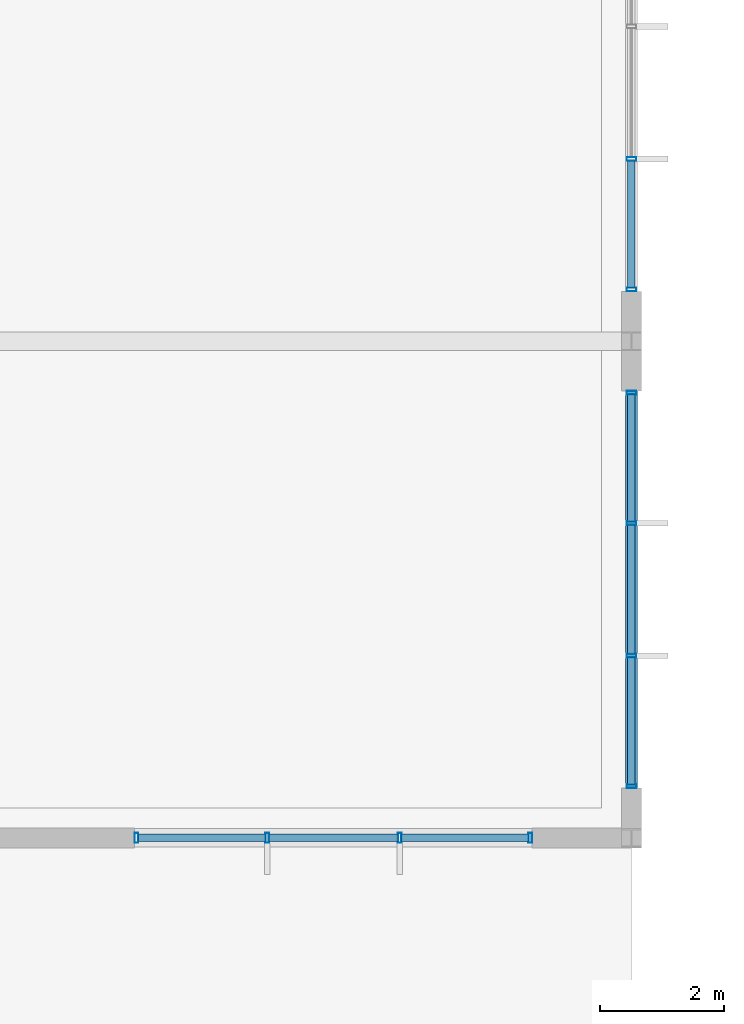
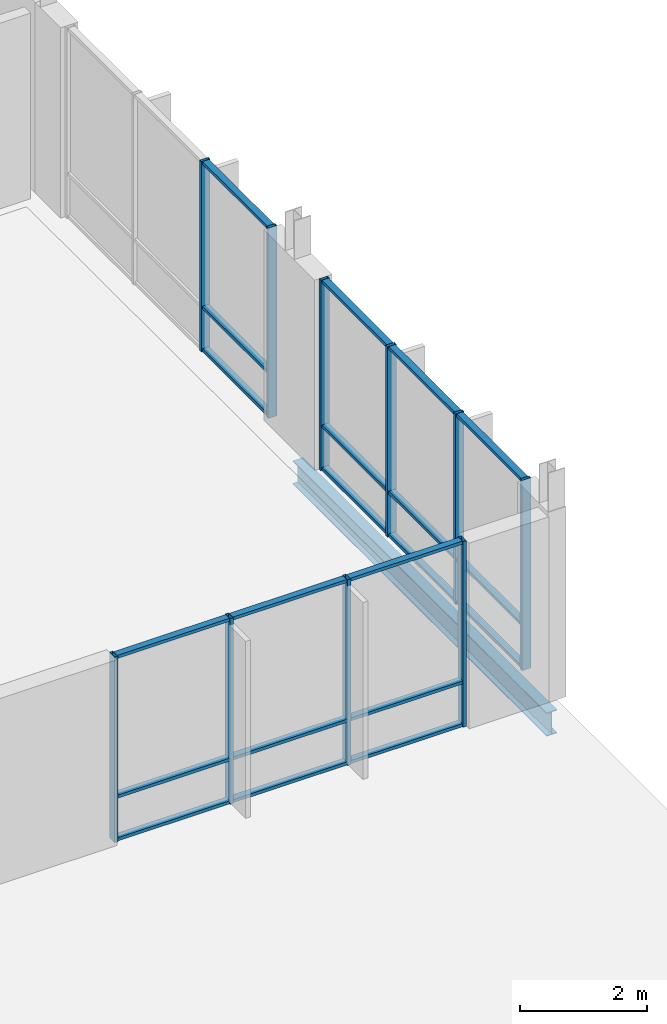
# One storey, part 157 of 233: 31 members, 1 beam, 3 elements without a shape of their own.
"""IFC4 building model written with IfcOpenShell, lengths in metres."""

from ifc_helpers import new_model, si_unit, direction, frame, origin, origin_2d, place, context, subcontext, project, spatial, hollow_rectangle, i_section, extrude, material, material_profile, profile_set, type_object, element, aggregate, save


model = new_model("IFC4")

# Units and contexts
model_context = context("Model", 3, precision=1e-05, world=origin(), true_north=direction((0.0, 1.0)))
body_context = subcontext(model_context, "Body", "Model", "MODEL_VIEW")
ifc_project = project(units=[si_unit("LENGTHUNIT", "METRE"), si_unit("AREAUNIT", "SQUARE_METRE"), si_unit("VOLUMEUNIT", "CUBIC_METRE"), si_unit("PLANEANGLEUNIT", "RADIAN"), si_unit("MASSUNIT", "GRAM", prefix="KILO")], contexts=[model_context])

# Site, building, storey
site_placement = place(None, origin())
site = spatial("IfcSite", under=ifc_project, at=site_placement, CompositionType="ELEMENT")
building_placement = place(site_placement, origin())
building = spatial("IfcBuilding", under=site, at=building_placement, Name="Zavelmont Quarter", CompositionType="ELEMENT")
storey_placement = place(building_placement, origin())
storey = spatial("IfcBuildingStorey", under=building, at=storey_placement, Name="L00", CompositionType="ELEMENT", Elevation=0.0)

# Beam
ifc_material_1 = material(Name="Steel S355", Category="steel")
ifc_material_profile_1 = material_profile(ifc_material_1, i_section(OverallWidth=0.18994140625, OverallDepth=0.449951171875, WebThickness=0.009521484375, FlangeThickness=0.0146484375, at=origin_2d()), Name="IPE 450")
ifc_profile_set_1 = profile_set([ifc_material_profile_1], Name="Steel S355")
beam_type = type_object("IfcBeamType", Name="BM12", PredefinedType="BEAM", material=ifc_profile_set_1)
beam_placement = place(storey_placement, frame((168.0, 38.0, -0.544921875), z_axis=(0.0, 1.0, 0.0), x_axis=(-1.0, 0.0, 0.0)))
element("IfcBeam", 1, at=beam_placement, inside=storey, type_object=beam_type, Name="L00 beam BM12 25/G to 25/H", PredefinedType="BEAM", context=body_context, shape_type="SweptSolid", body=[
    extrude(i_section(OverallWidth=0.18994140625, OverallDepth=0.449951171875, WebThickness=0.009521484375, FlangeThickness=0.0146484375, at=origin_2d()), origin(), (0.0, 0.0, 1.0), 8.0),
])

# Curtain wall, members
ifc_material_2 = material(Name="Thermally broken aluminium and double low-E safety glazing", Category="aluminium")
curtain_wall_type_1 = type_object("IfcCurtainWallType", Name="CW-640X366", PredefinedType="NOTDEFINED", material=ifc_material_2)
curtain_wall_1_placement = place(storey_placement, origin())
curtain_wall_1 = element("IfcCurtainWall", 2, at=curtain_wall_1_placement, inside=storey, type_object=curtain_wall_type_1, Name="L00 unitised curtain wall CW-640X366", PredefinedType="NOTDEFINED")
ifc_material_3 = material(Name="Powder-coated aluminium EN AW-6063-T6", Category="aluminium")
ifc_material_profile_2 = material_profile(ifc_material_3, hollow_rectangle(XDim=0.06005859375, YDim=0.159912109375, WallThickness=0.00390625, at=origin_2d()), Name="CWM60X160")
ifc_profile_set_2 = profile_set([ifc_material_profile_2], Name="Powder-coated aluminium EN AW-6063-T6")
member_type_1 = type_object("IfcMemberType", Name="CWM01", PredefinedType="MULLION", material=ifc_profile_set_2)
member_1_placement = place(storey_placement, frame((168.0, 38.830078125, 0.0), z_axis=(0.0, 0.0, 1.0), x_axis=(0.0, 1.0, 0.0)))
member_1 = element("IfcMember", 3, at=member_1_placement, type_object=member_type_1, Name="CW-640X366 mullion 1", PredefinedType="MULLION", context=body_context, shape_type="SweptSolid", body=[
    extrude(hollow_rectangle(XDim=0.06005859375, YDim=0.159912109375, WallThickness=0.00390625, at=origin_2d()), origin(), (0.0, 0.0, 1.0), 3.659912109375),
])
member_2_placement = place(storey_placement, frame((168.0, 40.933349609375, 0.0), z_axis=(0.0, 0.0, 1.0), x_axis=(0.0, 1.0, 0.0)))
member_2 = element("IfcMember", 4, at=member_2_placement, type_object=member_type_1, Name="CW-640X366 mullion 2", PredefinedType="MULLION", context=body_context, shape_type="SweptSolid", body=[
    extrude(hollow_rectangle(XDim=0.06005859375, YDim=0.159912109375, WallThickness=0.00390625, at=origin_2d()), origin(), (0.0, 0.0, 1.0), 3.659912109375),
])
member_3_placement = place(storey_placement, frame((168.0, 43.066650390625, 0.0), z_axis=(0.0, 0.0, 1.0), x_axis=(0.0, 1.0, 0.0)))
member_3 = element("IfcMember", 5, at=member_3_placement, type_object=member_type_1, Name="CW-640X366 mullion 3", PredefinedType="MULLION", context=body_context, shape_type="SweptSolid", body=[
    extrude(hollow_rectangle(XDim=0.06005859375, YDim=0.159912109375, WallThickness=0.00390625, at=origin_2d()), origin(), (0.0, 0.0, 1.0), 3.659912109375),
])
member_4_placement = place(storey_placement, frame((168.0, 45.169921875, 0.0), z_axis=(0.0, 0.0, 1.0), x_axis=(0.0, 1.0, 0.0)))
member_4 = element("IfcMember", 6, at=member_4_placement, type_object=member_type_1, Name="CW-640X366 mullion 4", PredefinedType="MULLION", context=body_context, shape_type="SweptSolid", body=[
    extrude(hollow_rectangle(XDim=0.06005859375, YDim=0.159912109375, WallThickness=0.00390625, at=origin_2d()), origin(), (0.0, 0.0, 1.0), 3.659912109375),
])

curtain_wall_2_placement = place(storey_placement, origin())
curtain_wall_2 = element("IfcCurtainWall", 7, at=curtain_wall_2_placement, inside=storey, type_object=curtain_wall_type_1, Name="L00 unitised curtain wall CW-640X366", PredefinedType="NOTDEFINED")
member_5_placement = place(storey_placement, frame((168.0, 46.830078125, 0.0), z_axis=(0.0, 0.0, 1.0), x_axis=(0.0, 1.0, 0.0)))
member_5 = element("IfcMember", 8, at=member_5_placement, type_object=member_type_1, Name="CW-640X366 mullion 1", PredefinedType="MULLION", context=body_context, shape_type="SweptSolid", body=[
    extrude(hollow_rectangle(XDim=0.06005859375, YDim=0.159912109375, WallThickness=0.00390625, at=origin_2d()), origin(), (0.0, 0.0, 1.0), 3.659912109375),
])
member_6_placement = place(storey_placement, frame((168.0, 48.933349609375, 0.0), z_axis=(0.0, 0.0, 1.0), x_axis=(0.0, 1.0, 0.0)))
member_6 = element("IfcMember", 9, at=member_6_placement, type_object=member_type_1, Name="CW-640X366 mullion 2", PredefinedType="MULLION", context=body_context, shape_type="SweptSolid", body=[
    extrude(hollow_rectangle(XDim=0.06005859375, YDim=0.159912109375, WallThickness=0.00390625, at=origin_2d()), origin(), (0.0, 0.0, 1.0), 3.659912109375),
])

curtain_wall_type_2 = type_object("IfcCurtainWallType", Name="CW-640X357", PredefinedType="NOTDEFINED", material=ifc_material_2)
curtain_wall_3_placement = place(storey_placement, origin())
curtain_wall_3 = element("IfcCurtainWall", 10, at=curtain_wall_3_placement, inside=storey, type_object=curtain_wall_type_2, Name="L00 unitised curtain wall CW-640X357", PredefinedType="NOTDEFINED")
member_7_placement = place(storey_placement, frame((160.030029296875, 38.0, 0.0), z_axis=(0.0, 0.0, 1.0), x_axis=(1.0, 0.0, 0.0)))
member_7 = element("IfcMember", 11, at=member_7_placement, type_object=member_type_1, Name="CW-640X357 mullion 1", PredefinedType="MULLION", context=body_context, shape_type="SweptSolid", body=[
    extrude(hollow_rectangle(XDim=0.06005859375, YDim=0.159912109375, WallThickness=0.00390625, at=origin_2d()), origin(), (0.0, 0.0, 1.0), 3.570068359375),
])
member_8_placement = place(storey_placement, frame((162.13330078125, 38.0, 0.0), z_axis=(0.0, 0.0, 1.0), x_axis=(1.0, 0.0, 0.0)))
member_8 = element("IfcMember", 12, at=member_8_placement, type_object=member_type_1, Name="CW-640X357 mullion 2", PredefinedType="MULLION", context=body_context, shape_type="SweptSolid", body=[
    extrude(hollow_rectangle(XDim=0.06005859375, YDim=0.159912109375, WallThickness=0.00390625, at=origin_2d()), origin(), (0.0, 0.0, 1.0), 3.570068359375),
])
member_9_placement = place(storey_placement, frame((164.2666015625, 38.0, 0.0), z_axis=(0.0, 0.0, 1.0), x_axis=(1.0, 0.0, 0.0)))
member_9 = element("IfcMember", 13, at=member_9_placement, type_object=member_type_1, Name="CW-640X357 mullion 3", PredefinedType="MULLION", context=body_context, shape_type="SweptSolid", body=[
    extrude(hollow_rectangle(XDim=0.06005859375, YDim=0.159912109375, WallThickness=0.00390625, at=origin_2d()), origin(), (0.0, 0.0, 1.0), 3.570068359375),
])
member_10_placement = place(storey_placement, frame((166.3701171875, 38.0, 0.0), z_axis=(0.0, 0.0, 1.0), x_axis=(1.0, 0.0, 0.0)))
member_10 = element("IfcMember", 14, at=member_10_placement, type_object=member_type_1, Name="CW-640X357 mullion 4", PredefinedType="MULLION", context=body_context, shape_type="SweptSolid", body=[
    extrude(hollow_rectangle(XDim=0.06005859375, YDim=0.159912109375, WallThickness=0.00390625, at=origin_2d()), origin(), (0.0, 0.0, 1.0), 3.570068359375),
])

# Member
ifc_material_profile_3 = material_profile(ifc_material_3, hollow_rectangle(XDim=0.1201171875, YDim=0.06005859375, WallThickness=0.00390625, at=origin_2d()), Name="CWT60X120")
ifc_profile_set_3 = profile_set([ifc_material_profile_3], Name="Powder-coated aluminium EN AW-6063-T6")
member_type_2 = type_object("IfcMemberType", Name="CWT01", PredefinedType="NOTDEFINED", material=ifc_profile_set_3)
member_11_placement = place(storey_placement, frame((168.0, 38.860107421875, 0.030029296875), z_axis=(0.0, 1.0, 0.0), x_axis=(-1.0, 0.0, 0.0)))
member_11 = element("IfcMember", 15, at=member_11_placement, type_object=member_type_2, Name="CW-640X366 transom 1.1", ObjectType="TRANSOM", PredefinedType="USERDEFINED", context=body_context, shape_type="SweptSolid", body=[
    extrude(hollow_rectangle(XDim=0.1201171875, YDim=0.06005859375, WallThickness=0.00390625, at=origin_2d()), origin(), (0.0, 0.0, 1.0), 2.043212890625),
])

member_12_placement = place(storey_placement, frame((168.0, 38.860107421875, 0.85009765625), z_axis=(0.0, 1.0, 0.0), x_axis=(-1.0, 0.0, 0.0)))
member_12 = element("IfcMember", 16, at=member_12_placement, type_object=member_type_2, Name="CW-640X366 transom 1.2", ObjectType="TRANSOM", PredefinedType="USERDEFINED", context=body_context, shape_type="SweptSolid", body=[
    extrude(hollow_rectangle(XDim=0.1201171875, YDim=0.06005859375, WallThickness=0.00390625, at=origin_2d()), origin(), (0.0, 0.0, 1.0), 2.043212890625),
])

member_13_placement = place(storey_placement, frame((168.0, 38.860107421875, 3.6298828125), z_axis=(0.0, 1.0, 0.0), x_axis=(-1.0, 0.0, 0.0)))
member_13 = element("IfcMember", 17, at=member_13_placement, type_object=member_type_2, Name="CW-640X366 transom 1.3", ObjectType="TRANSOM", PredefinedType="USERDEFINED", context=body_context, shape_type="SweptSolid", body=[
    extrude(hollow_rectangle(XDim=0.1201171875, YDim=0.06005859375, WallThickness=0.00390625, at=origin_2d()), origin(), (0.0, 0.0, 1.0), 2.043212890625),
])

member_14_placement = place(storey_placement, frame((168.0, 40.96337890625, 0.030029296875), z_axis=(0.0, 1.0, 0.0), x_axis=(-1.0, 0.0, 0.0)))
member_14 = element("IfcMember", 18, at=member_14_placement, type_object=member_type_2, Name="CW-640X366 transom 2.1", ObjectType="TRANSOM", PredefinedType="USERDEFINED", context=body_context, shape_type="SweptSolid", body=[
    extrude(hollow_rectangle(XDim=0.1201171875, YDim=0.06005859375, WallThickness=0.00390625, at=origin_2d()), origin(), (0.0, 0.0, 1.0), 2.0732421875),
])

member_15_placement = place(storey_placement, frame((168.0, 40.96337890625, 0.85009765625), z_axis=(0.0, 1.0, 0.0), x_axis=(-1.0, 0.0, 0.0)))
member_15 = element("IfcMember", 19, at=member_15_placement, type_object=member_type_2, Name="CW-640X366 transom 2.2", ObjectType="TRANSOM", PredefinedType="USERDEFINED", context=body_context, shape_type="SweptSolid", body=[
    extrude(hollow_rectangle(XDim=0.1201171875, YDim=0.06005859375, WallThickness=0.00390625, at=origin_2d()), origin(), (0.0, 0.0, 1.0), 2.0732421875),
])

member_16_placement = place(storey_placement, frame((168.0, 40.96337890625, 3.6298828125), z_axis=(0.0, 1.0, 0.0), x_axis=(-1.0, 0.0, 0.0)))
member_16 = element("IfcMember", 20, at=member_16_placement, type_object=member_type_2, Name="CW-640X366 transom 2.3", ObjectType="TRANSOM", PredefinedType="USERDEFINED", context=body_context, shape_type="SweptSolid", body=[
    extrude(hollow_rectangle(XDim=0.1201171875, YDim=0.06005859375, WallThickness=0.00390625, at=origin_2d()), origin(), (0.0, 0.0, 1.0), 2.0732421875),
])

member_17_placement = place(storey_placement, frame((168.0, 43.0966796875, 0.030029296875), z_axis=(0.0, 1.0, 0.0), x_axis=(-1.0, 0.0, 0.0)))
member_17 = element("IfcMember", 21, at=member_17_placement, type_object=member_type_2, Name="CW-640X366 transom 3.1", ObjectType="TRANSOM", PredefinedType="USERDEFINED", context=body_context, shape_type="SweptSolid", body=[
    extrude(hollow_rectangle(XDim=0.1201171875, YDim=0.06005859375, WallThickness=0.00390625, at=origin_2d()), origin(), (0.0, 0.0, 1.0), 2.043212890625),
])

member_18_placement = place(storey_placement, frame((168.0, 43.0966796875, 0.85009765625), z_axis=(0.0, 1.0, 0.0), x_axis=(-1.0, 0.0, 0.0)))
member_18 = element("IfcMember", 22, at=member_18_placement, type_object=member_type_2, Name="CW-640X366 transom 3.2", ObjectType="TRANSOM", PredefinedType="USERDEFINED", context=body_context, shape_type="SweptSolid", body=[
    extrude(hollow_rectangle(XDim=0.1201171875, YDim=0.06005859375, WallThickness=0.00390625, at=origin_2d()), origin(), (0.0, 0.0, 1.0), 2.043212890625),
])

member_19_placement = place(storey_placement, frame((168.0, 43.0966796875, 3.6298828125), z_axis=(0.0, 1.0, 0.0), x_axis=(-1.0, 0.0, 0.0)))
member_19 = element("IfcMember", 23, at=member_19_placement, type_object=member_type_2, Name="CW-640X366 transom 3.3", ObjectType="TRANSOM", PredefinedType="USERDEFINED", context=body_context, shape_type="SweptSolid", body=[
    extrude(hollow_rectangle(XDim=0.1201171875, YDim=0.06005859375, WallThickness=0.00390625, at=origin_2d()), origin(), (0.0, 0.0, 1.0), 2.043212890625),
])

aggregate(curtain_wall_1, [member_1, member_2, member_3, member_4, member_11, member_12, member_13, member_14, member_15, member_16, member_17, member_18, member_19])

member_20_placement = place(storey_placement, frame((168.0, 46.860107421875, 0.030029296875), z_axis=(0.0, 1.0, 0.0), x_axis=(-1.0, 0.0, 0.0)))
member_20 = element("IfcMember", 24, at=member_20_placement, type_object=member_type_2, Name="CW-640X366 transom 1.1", ObjectType="TRANSOM", PredefinedType="USERDEFINED", context=body_context, shape_type="SweptSolid", body=[
    extrude(hollow_rectangle(XDim=0.1201171875, YDim=0.06005859375, WallThickness=0.00390625, at=origin_2d()), origin(), (0.0, 0.0, 1.0), 2.043212890625),
])

member_21_placement = place(storey_placement, frame((168.0, 46.860107421875, 0.85009765625), z_axis=(0.0, 1.0, 0.0), x_axis=(-1.0, 0.0, 0.0)))
member_21 = element("IfcMember", 25, at=member_21_placement, type_object=member_type_2, Name="CW-640X366 transom 1.2", ObjectType="TRANSOM", PredefinedType="USERDEFINED", context=body_context, shape_type="SweptSolid", body=[
    extrude(hollow_rectangle(XDim=0.1201171875, YDim=0.06005859375, WallThickness=0.00390625, at=origin_2d()), origin(), (0.0, 0.0, 1.0), 2.043212890625),
])

member_22_placement = place(storey_placement, frame((168.0, 46.860107421875, 3.6298828125), z_axis=(0.0, 1.0, 0.0), x_axis=(-1.0, 0.0, 0.0)))
member_22 = element("IfcMember", 26, at=member_22_placement, type_object=member_type_2, Name="CW-640X366 transom 1.3", ObjectType="TRANSOM", PredefinedType="USERDEFINED", context=body_context, shape_type="SweptSolid", body=[
    extrude(hollow_rectangle(XDim=0.1201171875, YDim=0.06005859375, WallThickness=0.00390625, at=origin_2d()), origin(), (0.0, 0.0, 1.0), 2.043212890625),
])

aggregate(curtain_wall_2, [member_5, member_6, member_20, member_21, member_22])

member_23_placement = place(storey_placement, frame((160.06005859375, 38.0, 0.030029296875), z_axis=(1.0, 0.0, 0.0), x_axis=(0.0, 1.0, 0.0)))
member_23 = element("IfcMember", 27, at=member_23_placement, type_object=member_type_2, Name="CW-640X357 transom 1.1", ObjectType="TRANSOM", PredefinedType="USERDEFINED", context=body_context, shape_type="SweptSolid", body=[
    extrude(hollow_rectangle(XDim=0.1201171875, YDim=0.06005859375, WallThickness=0.00390625, at=origin_2d()), origin(), (0.0, 0.0, 1.0), 2.043212890625),
])

member_24_placement = place(storey_placement, frame((160.06005859375, 38.0, 0.85009765625), z_axis=(1.0, 0.0, 0.0), x_axis=(0.0, 1.0, 0.0)))
member_24 = element("IfcMember", 28, at=member_24_placement, type_object=member_type_2, Name="CW-640X357 transom 1.2", ObjectType="TRANSOM", PredefinedType="USERDEFINED", context=body_context, shape_type="SweptSolid", body=[
    extrude(hollow_rectangle(XDim=0.1201171875, YDim=0.06005859375, WallThickness=0.00390625, at=origin_2d()), origin(), (0.0, 0.0, 1.0), 2.043212890625),
])

member_25_placement = place(storey_placement, frame((160.06005859375, 38.0, 3.5400390625), z_axis=(1.0, 0.0, 0.0), x_axis=(0.0, 1.0, 0.0)))
member_25 = element("IfcMember", 29, at=member_25_placement, type_object=member_type_2, Name="CW-640X357 transom 1.3", ObjectType="TRANSOM", PredefinedType="USERDEFINED", context=body_context, shape_type="SweptSolid", body=[
    extrude(hollow_rectangle(XDim=0.1201171875, YDim=0.06005859375, WallThickness=0.00390625, at=origin_2d()), origin(), (0.0, 0.0, 1.0), 2.043212890625),
])

member_26_placement = place(storey_placement, frame((162.163330078125, 38.0, 0.030029296875), z_axis=(1.0, 0.0, 0.0), x_axis=(0.0, 1.0, 0.0)))
member_26 = element("IfcMember", 30, at=member_26_placement, type_object=member_type_2, Name="CW-640X357 transom 2.1", ObjectType="TRANSOM", PredefinedType="USERDEFINED", context=body_context, shape_type="SweptSolid", body=[
    extrude(hollow_rectangle(XDim=0.1201171875, YDim=0.06005859375, WallThickness=0.00390625, at=origin_2d()), origin(), (0.0, 0.0, 1.0), 2.0732421875),
])

member_27_placement = place(storey_placement, frame((162.163330078125, 38.0, 0.85009765625), z_axis=(1.0, 0.0, 0.0), x_axis=(0.0, 1.0, 0.0)))
member_27 = element("IfcMember", 31, at=member_27_placement, type_object=member_type_2, Name="CW-640X357 transom 2.2", ObjectType="TRANSOM", PredefinedType="USERDEFINED", context=body_context, shape_type="SweptSolid", body=[
    extrude(hollow_rectangle(XDim=0.1201171875, YDim=0.06005859375, WallThickness=0.00390625, at=origin_2d()), origin(), (0.0, 0.0, 1.0), 2.0732421875),
])

member_28_placement = place(storey_placement, frame((162.163330078125, 38.0, 3.5400390625), z_axis=(1.0, 0.0, 0.0), x_axis=(0.0, 1.0, 0.0)))
member_28 = element("IfcMember", 32, at=member_28_placement, type_object=member_type_2, Name="CW-640X357 transom 2.3", ObjectType="TRANSOM", PredefinedType="USERDEFINED", context=body_context, shape_type="SweptSolid", body=[
    extrude(hollow_rectangle(XDim=0.1201171875, YDim=0.06005859375, WallThickness=0.00390625, at=origin_2d()), origin(), (0.0, 0.0, 1.0), 2.0732421875),
])

member_29_placement = place(storey_placement, frame((164.296630859375, 38.0, 0.030029296875), z_axis=(1.0, 0.0, 0.0), x_axis=(0.0, 1.0, 0.0)))
member_29 = element("IfcMember", 33, at=member_29_placement, type_object=member_type_2, Name="CW-640X357 transom 3.1", ObjectType="TRANSOM", PredefinedType="USERDEFINED", context=body_context, shape_type="SweptSolid", body=[
    extrude(hollow_rectangle(XDim=0.1201171875, YDim=0.06005859375, WallThickness=0.00390625, at=origin_2d()), origin(), (0.0, 0.0, 1.0), 2.04345703125),
])

member_30_placement = place(storey_placement, frame((164.296630859375, 38.0, 0.85009765625), z_axis=(1.0, 0.0, 0.0), x_axis=(0.0, 1.0, 0.0)))
member_30 = element("IfcMember", 34, at=member_30_placement, type_object=member_type_2, Name="CW-640X357 transom 3.2", ObjectType="TRANSOM", PredefinedType="USERDEFINED", context=body_context, shape_type="SweptSolid", body=[
    extrude(hollow_rectangle(XDim=0.1201171875, YDim=0.06005859375, WallThickness=0.00390625, at=origin_2d()), origin(), (0.0, 0.0, 1.0), 2.04345703125),
])

member_31_placement = place(storey_placement, frame((164.296630859375, 38.0, 3.5400390625), z_axis=(1.0, 0.0, 0.0), x_axis=(0.0, 1.0, 0.0)))
member_31 = element("IfcMember", 35, at=member_31_placement, type_object=member_type_2, Name="CW-640X357 transom 3.3", ObjectType="TRANSOM", PredefinedType="USERDEFINED", context=body_context, shape_type="SweptSolid", body=[
    extrude(hollow_rectangle(XDim=0.1201171875, YDim=0.06005859375, WallThickness=0.00390625, at=origin_2d()), origin(), (0.0, 0.0, 1.0), 2.04345703125),
])

aggregate(curtain_wall_3, [member_7, member_8, member_9, member_10, member_23, member_24, member_25, member_26, member_27, member_28, member_29, member_30, member_31])

save(model, "model.ifc")
